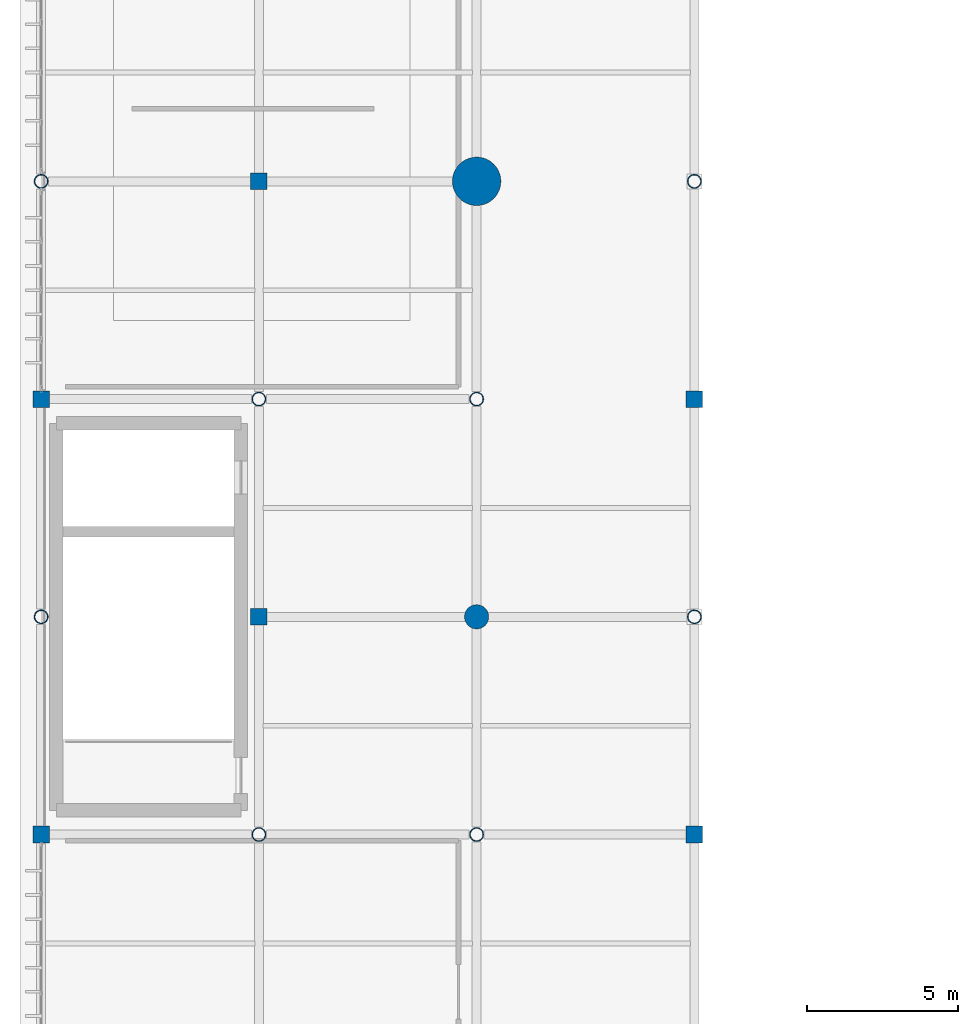
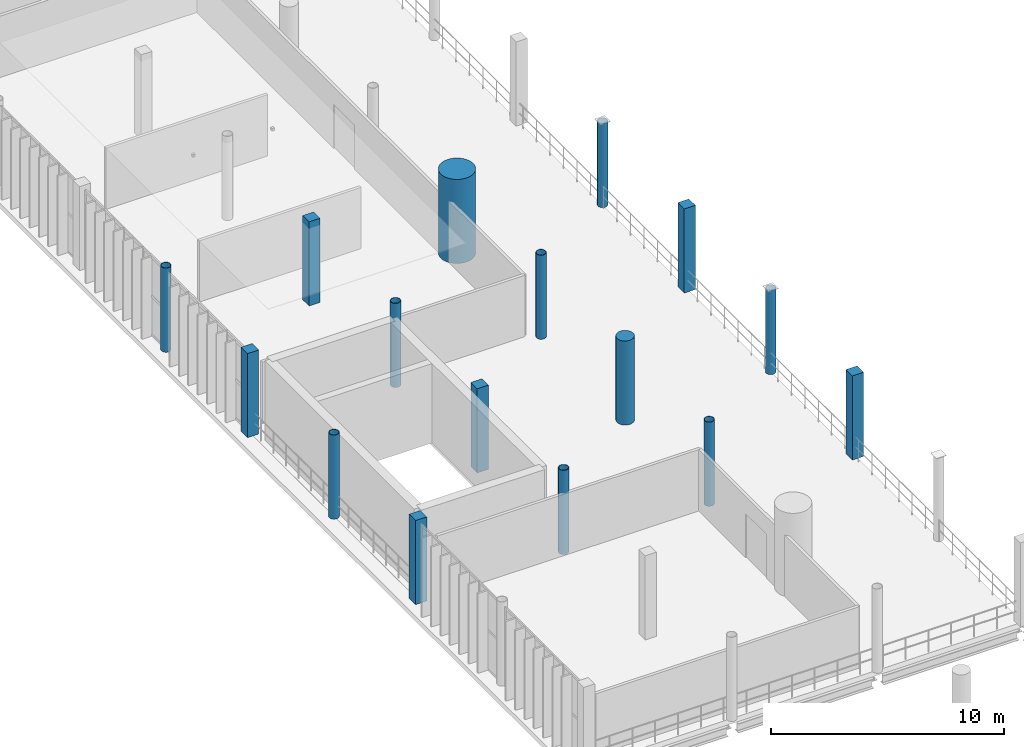
# One storey, part 3 of 81: 16 columns.
"""IFC4 building model written with IfcOpenShell, lengths in metres."""

from ifc_helpers import new_model, si_unit, direction, frame, origin, origin_2d, place, context, subcontext, project, spatial, rectangle, circle, hollow_circle, extrude, material, material_profile, profile_set, type_object, element, save


model = new_model("IFC4")

# Units and contexts
model_context = context("Model", 3, precision=1e-05, world=origin(), true_north=direction((0.0, 1.0)))
body_context = subcontext(model_context, "Body", "Model", "MODEL_VIEW")
ifc_project = project(units=[si_unit("LENGTHUNIT", "METRE"), si_unit("AREAUNIT", "SQUARE_METRE"), si_unit("VOLUMEUNIT", "CUBIC_METRE"), si_unit("PLANEANGLEUNIT", "RADIAN"), si_unit("MASSUNIT", "GRAM", prefix="KILO")], contexts=[model_context])

# Site, building, storey
site_placement = place(None, origin())
site = spatial("IfcSite", under=ifc_project, at=site_placement, CompositionType="ELEMENT")
building_placement = place(site_placement, origin())
building = spatial("IfcBuilding", under=site, at=building_placement, Name="Qandorah Velis Arena", CompositionType="ELEMENT")
storey_placement = place(building_placement, frame((0.0, 0.0, 18.60009765625)))
storey = spatial("IfcBuildingStorey", under=building, at=storey_placement, Name="L04", CompositionType="ELEMENT", Elevation=18.60009765625)

# Columns
ifc_material_1 = material(Name="Steel S355", Category="steel")
ifc_material_profile_1 = material_profile(ifc_material_1, hollow_circle(Radius=0.228515625, WallThickness=0.02001953125, at=origin_2d()), Name="CHS 457x20")
ifc_profile_set_1 = profile_set([ifc_material_profile_1], Name="Steel S355")
column_type_1 = type_object("IfcColumnType", Name="STR-COL-CHS457", PredefinedType="COLUMN", material=ifc_profile_set_1)
for number, where, z_axis, x_axis, name in (
    (1, (0.0, 43.199951171875, 0.0), (0.0, 0.0, 1.0), (1.0, 0.0, 0.0), "Structural column L04-003"),
    (2, (0.0, 57.60009765625, 0.0), (0.0, 0.0, 1.0), (1.0, 0.0, 0.0), "Structural column L04-005"),
    (3, (7.199951171875, 36.0, 0.0), (0.0, 0.0, 1.0), (1.0, 0.0, 0.0), "Structural column L04-015"),
    (4, (7.199951171875, 50.39990234375, 0.0), (0.0, 0.0, 1.0), (1.0, 0.0, 0.0), "Structural column L04-017"),
    (5, (14.39990234375, 36.0, 0.0), (0.0, 0.0, 1.0), (1.0, 0.0, 0.0), "Structural column L04-029"),
    (6, (14.39990234375, 50.39990234375, 0.0), (0.0, 0.0, 1.0), (1.0, 0.0, 0.0), "Structural column L04-031"),
    (7, (21.60009765625, 43.199951171875, 0.0), (0.0, 0.0, 1.0), (1.0, 0.0, 0.0), "Structural column L04-045"),
    (8, (21.60009765625, 57.60009765625, 0.0), (0.0, 0.0, 1.0), (1.0, 0.0, 0.0), "Structural column L04-047"),
):
    element("IfcColumn", number, at=place(storey_placement, frame(where, z_axis=z_axis, x_axis=x_axis)), inside=storey, type_object=column_type_1, Name=name, PredefinedType="COLUMN", context=body_context, shape_type="SweptSolid", body=[
        extrude(hollow_circle(Radius=0.228515625, WallThickness=0.02001953125, at=origin_2d()), origin(), (0.0, 0.0, 1.0), 4.39990234375),
    ])
ifc_material_2 = material(Name="Concrete C50/60", Category="concrete")
ifc_material_profile_2 = material_profile(ifc_material_2, circle(Radius=0.800048828125, at=origin_2d()), Name="MC D1600")
ifc_profile_set_2 = profile_set([ifc_material_profile_2], Name="Concrete C50/60")
column_type_2 = type_object("IfcColumnType", Name="STR-COL-MC1600", PredefinedType="COLUMN", material=ifc_profile_set_2)
column_1_placement = place(storey_placement, frame((14.39990234375, 57.60009765625, 0.0), z_axis=(0.0, 0.0, 1.0), x_axis=(1.0, 0.0, 0.0)))
element("IfcColumn", 9, at=column_1_placement, inside=storey, type_object=column_type_2, Name="Mega column MC2 (L04)", PredefinedType="COLUMN", context=body_context, shape_type="SweptSolid", body=[
    extrude(circle(Radius=0.800048828125, at=origin_2d()), origin(), (0.0, 0.0, 1.0), 4.39990234375),
])
ifc_material_3 = material(Name="Concrete C40/50", Category="concrete")
ifc_material_profile_3 = material_profile(ifc_material_3, rectangle(XDim=0.550048828125, YDim=0.550048828125, at=origin_2d()), Name="RC COL 550x550")
ifc_profile_set_3 = profile_set([ifc_material_profile_3], Name="Concrete C40/50")
column_type_3 = type_object("IfcColumnType", Name="STR-COL-RC550", PredefinedType="COLUMN", material=ifc_profile_set_3)
for number, where, z_axis, x_axis, name in (
    (10, (0.0, 36.0, 0.0), (0.0, 0.0, 1.0), (1.0, 0.0, 0.0), "Structural column L04-002"),
    (11, (0.0, 50.39990234375, 0.0), (0.0, 0.0, 1.0), (1.0, 0.0, 0.0), "Structural column L04-004"),
    (12, (7.199951171875, 43.199951171875, 0.0), (0.0, 0.0, 1.0), (1.0, 0.0, 0.0), "Structural column L04-016"),
    (13, (7.199951171875, 57.60009765625, 0.0), (0.0, 0.0, 1.0), (1.0, 0.0, 0.0), "Structural column L04-018"),
    (14, (21.60009765625, 36.0, 0.0), (0.0, 0.0, 1.0), (1.0, 0.0, 0.0), "Structural column L04-044"),
    (15, (21.60009765625, 50.39990234375, 0.0), (0.0, 0.0, 1.0), (1.0, 0.0, 0.0), "Structural column L04-046"),
):
    element("IfcColumn", number, at=place(storey_placement, frame(where, z_axis=z_axis, x_axis=x_axis)), inside=storey, type_object=column_type_3, Name=name, PredefinedType="COLUMN", context=body_context, shape_type="SweptSolid", body=[
        extrude(rectangle(XDim=0.550048828125, YDim=0.550048828125, at=origin_2d()), origin(), (0.0, 0.0, 1.0), 4.39990234375),
    ])
ifc_material_profile_4 = material_profile(ifc_material_3, circle(Radius=0.39990234375, at=origin_2d()), Name="RC D800")
ifc_profile_set_4 = profile_set([ifc_material_profile_4], Name="Concrete C40/50")
column_type_4 = type_object("IfcColumnType", Name="STR-COL-RCD800", PredefinedType="COLUMN", material=ifc_profile_set_4)
column_2_placement = place(storey_placement, frame((14.39990234375, 43.199951171875, 0.0), z_axis=(0.0, 0.0, 1.0), x_axis=(1.0, 0.0, 0.0)))
element("IfcColumn", 16, at=column_2_placement, inside=storey, type_object=column_type_4, Name="Bowl drum ring column L04-030", PredefinedType="COLUMN", context=body_context, shape_type="SweptSolid", body=[
    extrude(circle(Radius=0.39990234375, at=origin_2d()), origin(), (0.0, 0.0, 1.0), 4.39990234375),
])

save(model, "model.ifc")
